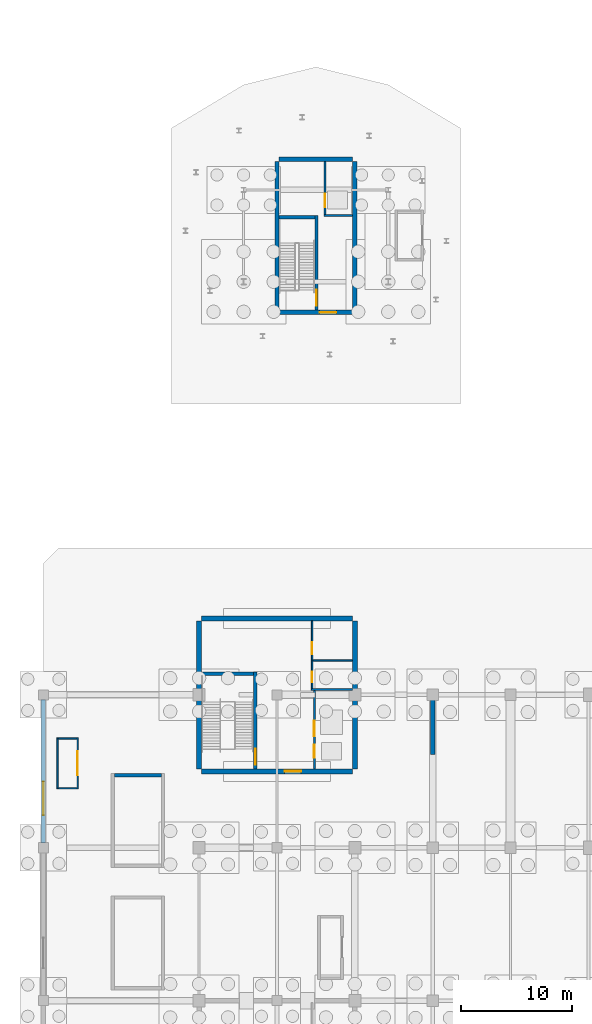
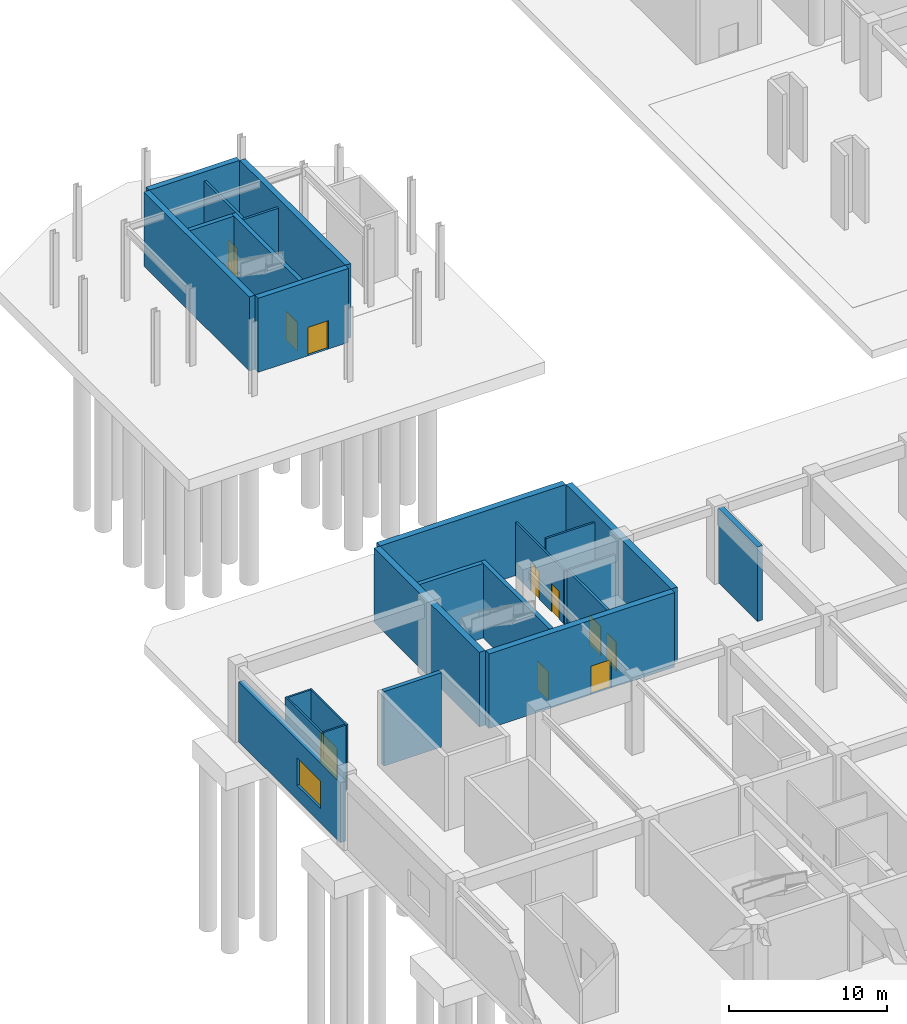
# One storey, part 47 of 62: 25 walls, 10 doors, 1 window, 11 openings.
"""IFC4 building model written with IfcOpenShell, lengths in metres."""

from ifc_helpers import new_model, si_unit, direction, frame, frame_2d, origin, place, context, subcontext, project, spatial, rectangle, extrude, material, layer, layer_set, type_object, element, fill, save


model = new_model("IFC4")

# Units and contexts
model_context = context("Model", 3, precision=1e-05, world=origin(), true_north=direction((0.0, 1.0)))
body_context = subcontext(model_context, "Body", "Model", "MODEL_VIEW")
ifc_project = project(units=[si_unit("LENGTHUNIT", "METRE"), si_unit("AREAUNIT", "SQUARE_METRE"), si_unit("VOLUMEUNIT", "CUBIC_METRE"), si_unit("PLANEANGLEUNIT", "RADIAN"), si_unit("MASSUNIT", "GRAM", prefix="KILO")], contexts=[model_context])

# Site, building, storey
site_placement = place(None, origin())
site = spatial("IfcSite", under=ifc_project, at=site_placement, CompositionType="ELEMENT")
building_placement = place(site_placement, origin())
building = spatial("IfcBuilding", under=site, at=building_placement, Name="Linyun Crest Stadium", CompositionType="ELEMENT")
storey_placement = place(building_placement, frame((0.0, 0.0, -6.0)))
storey = spatial("IfcBuildingStorey", under=building, at=storey_placement, Name="B1", CompositionType="ELEMENT", Elevation=-6.0)

# Walls
ifc_material_1 = material(Name="Concrete C50", Category="concrete")
ifc_layer_1 = layer(ifc_material_1, 0.39990234375)
ifc_layer_set_1 = layer_set([ifc_layer_1], Name="Concrete C50")
wall_type_1 = type_object("IfcWallType", Name="CW02", PredefinedType="SHEAR", material=ifc_layer_set_1)
for number, where, z_axis, x_axis, name in (
    (1, (-77.0, 77.949951171875, 0.0), (0.0, 0.0, 1.0), (0.0, 1.0, 0.0), "Core shear wall CW02 CORE-PNW B1.1"),
    (2, (-70.0, 77.949951171875, 0.0), (0.0, 0.0, 1.0), (0.0, 1.0, 0.0), "Core shear wall CW02 CORE-PNW B1.2"),
):
    element("IfcWall", number, at=place(storey_placement, frame(where, z_axis=z_axis, x_axis=x_axis)), inside=storey, type_object=wall_type_1, Name=name, PredefinedType="SHEAR", context=body_context, shape_type="SweptSolid", body=[
        extrude(rectangle(XDim=13.35009765625, YDim=0.39990234375, at=frame_2d((6.675048828125, 0.0))), origin(), (0.0, 0.0, 1.0), 5.719970703125),
    ])

# Wall, opening, door
wall_1_placement = place(storey_placement, frame((-76.800048828125, 77.75, 0.0), z_axis=(0.0, 0.0, 1.0), x_axis=(1.0, 0.0, 0.0)))
wall_1 = element("IfcWall", 3, at=wall_1_placement, inside=storey, type_object=wall_type_1, Name="Core shear wall CW02 CORE-PNW B1.3", PredefinedType="SHEAR", context=body_context, shape_type="SweptSolid", body=[
    extrude(rectangle(XDim=6.60009765625, YDim=0.39990234375, at=frame_2d((3.300048828125, 0.0))), origin(), (0.0, 0.0, 1.0), 5.719970703125),
])
opening_1_placement = place(wall_1_placement, frame((3.6298828125, 0.0, 0.0)))
opening_1 = element("IfcOpeningElement", 4, at=opening_1_placement, cuts=wall_1, Name="Opening D-B1-366", PredefinedType="OPENING", context=body_context, shape_type="SweptSolid", body=[
    extrude(rectangle(XDim=1.5, YDim=2.199951171875, at=frame_2d((0.75, 1.10009765625))), frame((0.0, 0.2099609375, 0.0), z_axis=(0.0, -1.0, 0.0), x_axis=(1.0, 0.0, 0.0)), (0.0, 0.0, 1.0), 0.419921875),
])
ifc_material_2 = material(Name="Galvanized steel Class A fire door", Category="steel")
ifc_layer_2 = layer(ifc_material_2, 0.054931640625)
ifc_layer_set_2 = layer_set([ifc_layer_2], Name="Galvanized steel Class A fire door")
door_type_1 = type_object("IfcDoorType", Name="FD01", OperationType="NOTDEFINED", PredefinedType="DOOR", material=ifc_layer_set_2)
door_1_placement = place(opening_1_placement, origin())
door_1 = element("IfcDoor", 5, at=door_1_placement, inside=storey, type_object=door_type_1, Name="Door D-B1-366", OperationType="SINGLE_SWING_RIGHT", OverallHeight=2.199951171875, OverallWidth=1.5, PredefinedType="DOOR", context=body_context, shape_type="SweptSolid", body=[
    extrude(rectangle(XDim=1.5, YDim=2.199951171875, at=frame_2d((0.75, 1.10009765625))), frame((0.0, 0.02490234375, 0.0), z_axis=(0.0, -1.0, 0.0), x_axis=(1.0, 0.0, 0.0)), (0.0, 0.0, 1.0), 0.050048828125),
])
fill(opening_1, door_1)

# Walls
wall_2_placement = place(storey_placement, frame((-76.800048828125, 91.5, 0.0), z_axis=(0.0, 0.0, 1.0), x_axis=(1.0, 0.0, 0.0)))
element("IfcWall", 6, at=wall_2_placement, inside=storey, type_object=wall_type_1, Name="Core shear wall CW02 CORE-PNW B1.4", PredefinedType="SHEAR", context=body_context, shape_type="SweptSolid", body=[
    extrude(rectangle(XDim=6.60009765625, YDim=0.39990234375, at=frame_2d((3.300048828125, 0.0))), origin(), (0.0, 0.0, 1.0), 5.719970703125),
])
ifc_material_3 = material(Name="Concrete C50", Category="concrete")
ifc_layer_3 = layer(ifc_material_3, 0.449951171875)
ifc_layer_set_3 = layer_set([ifc_layer_3], Name="Concrete C50")
wall_type_2 = type_object("IfcWallType", Name="CW03", PredefinedType="SHEAR", material=ifc_layer_set_3)
for number, where, z_axis, x_axis, name in (
    (7, (-84.0, 36.72509765625, 0.0), (0.0, 0.0, 1.0), (0.0, 1.0, 0.0), "Core shear wall CW03 CORE-W3 B1.1"),
    (8, (-70.0, 36.72509765625, 0.0), (0.0, 0.0, 1.0), (0.0, 1.0, 0.0), "Core shear wall CW03 CORE-W3 B1.2"),
):
    element("IfcWall", number, at=place(storey_placement, frame(where, z_axis=z_axis, x_axis=x_axis)), inside=storey, type_object=wall_type_2, Name=name, PredefinedType="SHEAR", context=body_context, shape_type="SweptSolid", body=[
        extrude(rectangle(XDim=13.2998046875, YDim=0.449951171875, at=frame_2d((6.64990234375, 0.0))), origin(), (0.0, 0.0, 1.0), 5.75),
    ])

# Wall, opening, door
wall_3_placement = place(storey_placement, frame((-83.77490234375, 36.5, 0.0), z_axis=(0.0, 0.0, 1.0), x_axis=(1.0, 0.0, 0.0)))
wall_3 = element("IfcWall", 9, at=wall_3_placement, inside=storey, type_object=wall_type_2, Name="Core shear wall CW03 CORE-W3 B1.3", PredefinedType="SHEAR", context=body_context, shape_type="SweptSolid", body=[
    extrude(rectangle(XDim=13.5498046875, YDim=0.449951171875, at=frame_2d((6.77490234375, 0.0))), origin(), (0.0, 0.0, 1.0), 5.75),
])
opening_2_placement = place(wall_3_placement, frame((7.452880859375, 0.0, 0.0)))
opening_2 = element("IfcOpeningElement", 10, at=opening_2_placement, cuts=wall_3, Name="Opening D-B1-106", PredefinedType="OPENING", context=body_context, shape_type="SweptSolid", body=[
    extrude(rectangle(XDim=1.5, YDim=2.199951171875, at=frame_2d((0.75, 1.10009765625))), frame((0.0, 0.23486328125, 0.0), z_axis=(0.0, -1.0, 0.0), x_axis=(1.0, 0.0, 0.0)), (0.0, 0.0, 1.0), 0.469970703125),
])
door_2_placement = place(opening_2_placement, origin())
door_2 = element("IfcDoor", 11, at=door_2_placement, inside=storey, type_object=door_type_1, Name="Door D-B1-106", OperationType="SINGLE_SWING_RIGHT", OverallHeight=2.199951171875, OverallWidth=1.5, PredefinedType="DOOR", context=body_context, shape_type="SweptSolid", body=[
    extrude(rectangle(XDim=1.5, YDim=2.199951171875, at=frame_2d((0.75, 1.10009765625))), frame((0.0, 0.02490234375, 0.0), z_axis=(0.0, -1.0, 0.0), x_axis=(1.0, 0.0, 0.0)), (0.0, 0.0, 1.0), 0.050048828125),
])
fill(opening_2, door_2)

# Wall
wall_4_placement = place(storey_placement, frame((-83.77490234375, 50.25, 0.0), z_axis=(0.0, 0.0, 1.0), x_axis=(1.0, 0.0, 0.0)))
element("IfcWall", 12, at=wall_4_placement, inside=storey, type_object=wall_type_2, Name="Core shear wall CW03 CORE-W3 B1.4", PredefinedType="SHEAR", context=body_context, shape_type="SweptSolid", body=[
    extrude(rectangle(XDim=13.5498046875, YDim=0.449951171875, at=frame_2d((6.77490234375, 0.0))), origin(), (0.0, 0.0, 1.0), 5.75),
])

# Wall, opening, window
ifc_material_4 = material(Name="Concrete C40 basement retaining envelope wall", Category="concrete")
ifc_layer_4 = layer(ifc_material_4, 0.419921875)
ifc_layer_set_4 = layer_set([ifc_layer_4], Name="Concrete C40 basement retaining envelope wall")
wall_type_3 = type_object("IfcWallType", Name="EW08", PredefinedType="SOLIDWALL", material=ifc_layer_set_4)
wall_5_placement = place(storey_placement, frame((-98.0, 30.06494140625, 0.0), z_axis=(0.0, 0.0, 1.0), x_axis=(0.0, 1.0, 0.0)))
wall_5 = element("IfcWall", 13, at=wall_5_placement, inside=storey, type_object=wall_type_3, Name="Exterior wall EW08 B1 21", PredefinedType="SOLIDWALL", context=body_context, shape_type="SweptSolid", body=[
    extrude(rectangle(XDim=12.8701171875, YDim=0.419921875, at=frame_2d((6.43505859375, 0.0))), origin(), (0.0, 0.0, 1.0), 4.625),
])
opening_3_placement = place(wall_5_placement, frame((2.5, 0.0, 1.10009765625)))
opening_3 = element("IfcOpeningElement", 14, at=opening_3_placement, cuts=wall_5, Name="Opening WN06", PredefinedType="OPENING", context=body_context, shape_type="SweptSolid", body=[
    extrude(rectangle(XDim=3.0, YDim=2.14990234375, at=frame_2d((1.5, 1.074951171875))), frame((0.0, 0.219970703125, 0.0), z_axis=(0.0, -1.0, 0.0), x_axis=(1.0, 0.0, 0.0)), (0.0, 0.0, 1.0), 0.43994140625),
])
ifc_material_5 = material(Name="Verdigris steel Art Nouveau arched window", Category="steel")
ifc_layer_5 = layer(ifc_material_5, 0.06494140625)
ifc_layer_set_5 = layer_set([ifc_layer_5], Name="Verdigris steel Art Nouveau arched window")
window_type = type_object("IfcWindowType", Name="WN06", PartitioningType="SINGLE_PANEL", PredefinedType="WINDOW", material=ifc_layer_set_5)
window_placement = place(opening_3_placement, origin())
window = element("IfcWindow", 15, at=window_placement, inside=storey, type_object=window_type, Name="Window WN06 B1 23", OverallHeight=2.14990234375, OverallWidth=3.0, PartitioningType="SINGLE_PANEL", PredefinedType="WINDOW", context=body_context, shape_type="SweptSolid", body=[
    extrude(rectangle(XDim=3.0, YDim=2.14990234375, at=frame_2d((1.5, 1.074951171875))), frame((0.0, 0.030029296875, 0.0), z_axis=(0.0, -1.0, 0.0), x_axis=(1.0, 0.0, 0.0)), (0.0, 0.0, 1.0), 0.06005859375),
])
fill(opening_3, window)

# Wall, openings, doors
ifc_material_6 = material(Name="Autoclaved aerated concrete block fire partition", Category="concrete")
ifc_layer_6 = layer(ifc_material_6, 0.179931640625)
ifc_layer_set_6 = layer_set([ifc_layer_6], Name="Autoclaved aerated concrete block fire partition")
wall_type_4 = type_object("IfcWallType", Name="PW12", PredefinedType="PARTITIONING", material=ifc_layer_set_6)
wall_6_placement = place(storey_placement, frame((-73.64990234375, 36.72509765625, 0.0), z_axis=(0.0, 0.0, 1.0), x_axis=(0.0, 1.0, 0.0)))
wall_6 = element("IfcWall", 16, at=wall_6_placement, inside=storey, type_object=wall_type_4, Name="Partition PW12 B1 43", PredefinedType="PARTITIONING", context=body_context, shape_type="SweptSolid", body=[
    extrude(rectangle(XDim=7.054931640625, YDim=0.179931640625, at=frame_2d((3.52734375, 0.0))), origin(), (0.0, 0.0, 1.0), 4.125),
])
opening_4_placement = place(wall_6_placement, frame((0.97509765625, 0.0, 0.0)))
opening_4 = element("IfcOpeningElement", 17, at=opening_4_placement, cuts=wall_6, Name="Opening LD036", PredefinedType="OPENING", context=body_context, shape_type="SweptSolid", body=[
    extrude(rectangle(XDim=1.199951171875, YDim=2.25, at=frame_2d((0.60009765625, 1.125))), frame((0.0, 0.099853515625, 0.0), z_axis=(0.0, -1.0, 0.0), x_axis=(1.0, 0.0, 0.0)), (0.0, 0.0, 1.0), 0.199951171875),
])
opening_5_placement = place(wall_6_placement, frame((2.925048828125, 0.0, 0.0)))
opening_5 = element("IfcOpeningElement", 18, at=opening_5_placement, cuts=wall_6, Name="Opening LD037", PredefinedType="OPENING", context=body_context, shape_type="SweptSolid", body=[
    extrude(rectangle(XDim=1.39990234375, YDim=2.300048828125, at=frame_2d((0.699951171875, 1.14990234375))), frame((0.0, 0.099853515625, 0.0), z_axis=(0.0, -1.0, 0.0), x_axis=(1.0, 0.0, 0.0)), (0.0, 0.0, 1.0), 0.199951171875),
])
ifc_material_7 = material(Name="Brushed stainless sliding lift door")
ifc_layer_7 = layer(ifc_material_7, 0.050048828125)
ifc_layer_set_7 = layer_set([ifc_layer_7], Name="Brushed stainless sliding lift door")
door_type_2 = type_object("IfcDoorType", Name="LD02", OperationType="NOTDEFINED", PredefinedType="DOOR", material=ifc_layer_set_7)
door_3_placement = place(opening_4_placement, origin())
door_3 = element("IfcDoor", 19, at=door_3_placement, inside=storey, type_object=door_type_2, Name="Lift landing door LD036", OperationType="DOUBLE_DOOR_SLIDING", OverallHeight=2.25, OverallWidth=1.199951171875, PredefinedType="DOOR", context=body_context, shape_type="SweptSolid", body=[
    extrude(rectangle(XDim=1.199951171875, YDim=2.25, at=frame_2d((0.60009765625, 1.125))), frame((0.0, 0.02490234375, 0.0), z_axis=(0.0, -1.0, 0.0), x_axis=(1.0, 0.0, 0.0)), (0.0, 0.0, 1.0), 0.050048828125),
])
fill(opening_4, door_3)
ifc_material_8 = material(Name="Heavy-duty stainless sliding door")
ifc_layer_8 = layer(ifc_material_8, 0.054931640625)
ifc_layer_set_8 = layer_set([ifc_layer_8], Name="Heavy-duty stainless sliding door")
door_type_3 = type_object("IfcDoorType", Name="LD03", OperationType="NOTDEFINED", PredefinedType="DOOR", material=ifc_layer_set_8)
door_4_placement = place(opening_5_placement, origin())
door_4 = element("IfcDoor", 20, at=door_4_placement, inside=storey, type_object=door_type_3, Name="Lift landing door LD037", OperationType="DOUBLE_DOOR_SLIDING", OverallHeight=2.300048828125, OverallWidth=1.39990234375, PredefinedType="DOOR", context=body_context, shape_type="SweptSolid", body=[
    extrude(rectangle(XDim=1.39990234375, YDim=2.300048828125, at=frame_2d((0.699951171875, 1.14990234375))), frame((0.0, 0.02490234375, 0.0), z_axis=(0.0, -1.0, 0.0), x_axis=(1.0, 0.0, 0.0)), (0.0, 0.0, 1.0), 0.050048828125),
])
fill(opening_5, door_4)

# Wall, opening, door
wall_7_placement = place(storey_placement, frame((-72.699951171875, 86.550048828125, 0.0), z_axis=(0.0, 0.0, 1.0), x_axis=(0.0, 1.0, 0.0)))
wall_7 = element("IfcWall", 21, at=wall_7_placement, inside=storey, type_object=wall_type_4, Name="Partition PW12 B1 131", PredefinedType="PARTITIONING", context=body_context, shape_type="SweptSolid", body=[
    extrude(rectangle(XDim=4.75, YDim=0.179931640625, at=frame_2d((2.375, 0.0))), origin(), (0.0, 0.0, 1.0), 5.02001953125),
])
opening_6_placement = place(wall_7_placement, frame((0.64990234375, 0.0, 0.0)))
opening_6 = element("IfcOpeningElement", 22, at=opening_6_placement, cuts=wall_7, Name="Opening LD107", PredefinedType="OPENING", context=body_context, shape_type="SweptSolid", body=[
    extrude(rectangle(XDim=1.199951171875, YDim=2.25, at=frame_2d((0.60009765625, 1.125))), frame((0.0, 0.099853515625, 0.0), z_axis=(0.0, -1.0, 0.0), x_axis=(1.0, 0.0, 0.0)), (0.0, 0.0, 1.0), 0.199951171875),
])
door_5_placement = place(opening_6_placement, origin())
door_5 = element("IfcDoor", 23, at=door_5_placement, inside=storey, type_object=door_type_2, Name="Lift landing door LD107", OperationType="DOUBLE_DOOR_SLIDING", OverallHeight=2.25, OverallWidth=1.199951171875, PredefinedType="DOOR", context=body_context, shape_type="SweptSolid", body=[
    extrude(rectangle(XDim=1.199951171875, YDim=2.25, at=frame_2d((0.60009765625, 1.125))), frame((0.0, 0.02490234375, 0.0), z_axis=(0.0, -1.0, 0.0), x_axis=(1.0, 0.0, 0.0)), (0.0, 0.0, 1.0), 0.050048828125),
])
fill(opening_6, door_5)

# Wall
wall_8_placement = place(storey_placement, frame((-72.7900390625, 86.4599609375, 0.0), z_axis=(0.0, 0.0, 1.0), x_axis=(1.0, 0.0, 0.0)))
element("IfcWall", 24, at=wall_8_placement, inside=storey, type_object=wall_type_4, Name="Enclosure partition PW12 B1 123", PredefinedType="PARTITIONING", context=body_context, shape_type="SweptSolid", body=[
    extrude(rectangle(XDim=2.590087890625, YDim=0.179931640625, at=frame_2d((1.294921875, 0.0))), origin(), (0.0, 0.0, 1.0), 5.02001953125),
])

# Wall, openings, doors
ifc_material_9 = material(Name="Moisture-resistant ceramic-tiled wet-room wall")
ifc_layer_9 = layer(ifc_material_9, 0.139892578125)
ifc_layer_set_9 = layer_set([ifc_layer_9], Name="Moisture-resistant ceramic-tiled wet-room wall")
wall_type_5 = type_object("IfcWallType", Name="PW15", PredefinedType="PARTITIONING", material=ifc_layer_set_9)
wall_9_placement = place(storey_placement, frame((-73.85009765625, 43.919921875, 0.0), z_axis=(0.0, 0.0, 1.0), x_axis=(0.0, 1.0, 0.0)))
wall_9 = element("IfcWall", 25, at=wall_9_placement, inside=storey, type_object=wall_type_5, Name="Partition PW15 B1 44", PredefinedType="PARTITIONING", context=body_context, shape_type="SweptSolid", body=[
    extrude(rectangle(XDim=6.10498046875, YDim=0.139892578125, at=frame_2d((3.052490234375, 0.0))), origin(), (0.0, 0.0, 1.0), 4.125),
])
opening_7_placement = place(wall_9_placement, frame((0.580078125, 0.0, 0.0)))
opening_7 = element("IfcOpeningElement", 26, at=opening_7_placement, cuts=wall_9, Name="Opening D-B1-110", PredefinedType="OPENING", context=body_context, shape_type="SweptSolid", body=[
    extrude(rectangle(XDim=0.949951171875, YDim=2.14990234375, at=frame_2d((0.47509765625, 1.074951171875))), frame((0.0, 0.079833984375, 0.0), z_axis=(0.0, -1.0, 0.0), x_axis=(1.0, 0.0, 0.0)), (0.0, 0.0, 1.0), 0.159912109375),
])
opening_8_placement = place(wall_9_placement, frame((3.080078125, 0.0, 0.0)))
opening_8 = element("IfcOpeningElement", 27, at=opening_8_placement, cuts=wall_9, Name="Opening D-B1-111", PredefinedType="OPENING", context=body_context, shape_type="SweptSolid", body=[
    extrude(rectangle(XDim=1.10009765625, YDim=2.14990234375, at=frame_2d((0.550048828125, 1.074951171875))), frame((0.0, 0.079833984375, 0.0), z_axis=(0.0, -1.0, 0.0), x_axis=(1.0, 0.0, 0.0)), (0.0, 0.0, 1.0), 0.159912109375),
])
ifc_material_10 = material(Name="Moisture-resistant laminate leaf")
ifc_layer_10 = layer(ifc_material_10, 0.044921875)
ifc_layer_set_10 = layer_set([ifc_layer_10], Name="Moisture-resistant laminate leaf")
door_type_4 = type_object("IfcDoorType", Name="ID02", OperationType="NOTDEFINED", PredefinedType="DOOR", material=ifc_layer_set_10)
door_6_placement = place(opening_7_placement, origin())
door_6 = element("IfcDoor", 28, at=door_6_placement, inside=storey, type_object=door_type_4, Name="Door D-B1-110", OperationType="SINGLE_SWING_RIGHT", OverallHeight=2.14990234375, OverallWidth=0.949951171875, PredefinedType="DOOR", context=body_context, shape_type="SweptSolid", body=[
    extrude(rectangle(XDim=0.949951171875, YDim=2.14990234375, at=frame_2d((0.47509765625, 1.074951171875))), frame((0.0, 0.02490234375, 0.0), z_axis=(0.0, -1.0, 0.0), x_axis=(1.0, 0.0, 0.0)), (0.0, 0.0, 1.0), 0.050048828125),
])
fill(opening_7, door_6)
ifc_material_11 = material(Name="Moisture-resistant laminate leaf")
ifc_layer_11 = layer(ifc_material_11, 0.044921875)
ifc_layer_set_11 = layer_set([ifc_layer_11], Name="Moisture-resistant laminate leaf")
door_type_5 = type_object("IfcDoorType", Name="ID03", OperationType="NOTDEFINED", PredefinedType="DOOR", material=ifc_layer_set_11)
door_7_placement = place(opening_8_placement, origin())
door_7 = element("IfcDoor", 29, at=door_7_placement, inside=storey, type_object=door_type_5, Name="Door D-B1-111", OperationType="SINGLE_SWING_LEFT", OverallHeight=2.14990234375, OverallWidth=1.10009765625, PredefinedType="DOOR", context=body_context, shape_type="SweptSolid", body=[
    extrude(rectangle(XDim=1.10009765625, YDim=2.14990234375, at=frame_2d((0.550048828125, 1.074951171875))), frame((0.0, 0.02490234375, 0.0), z_axis=(0.0, -1.0, 0.0), x_axis=(1.0, 0.0, 0.0)), (0.0, 0.0, 1.0), 0.050048828125),
])
fill(opening_8, door_7)

# Walls
wall_10_placement = place(storey_placement, frame((-73.919921875, 43.85009765625, 0.0), z_axis=(0.0, 0.0, 1.0), x_axis=(1.0, 0.0, 0.0)))
element("IfcWall", 30, at=wall_10_placement, inside=storey, type_object=wall_type_5, Name="Enclosure partition PW15 B1 29", PredefinedType="PARTITIONING", context=body_context, shape_type="SweptSolid", body=[
    extrude(rectangle(XDim=3.69482421875, YDim=0.139892578125, at=frame_2d((1.847412109375, 0.0))), origin(), (0.0, 0.0, 1.0), 4.125),
])
wall_11_placement = place(storey_placement, frame((-73.780029296875, 46.449951171875, 0.0), z_axis=(0.0, 0.0, 1.0), x_axis=(1.0, 0.0, 0.0)))
element("IfcWall", 31, at=wall_11_placement, inside=storey, type_object=wall_type_5, Name="Enclosure partition PW15 B1 30", PredefinedType="PARTITIONING", context=body_context, shape_type="SweptSolid", body=[
    extrude(rectangle(XDim=3.554931640625, YDim=0.139892578125, at=frame_2d((1.77734375, 0.0))), origin(), (0.0, 0.0, 1.0), 5.02001953125),
])

# Wall, opening, door
ifc_material_12 = material(Name="Steel-stud hospitality suite partition", Category="steel")
ifc_layer_12 = layer(ifc_material_12, 0.125)
ifc_layer_set_12 = layer_set([ifc_layer_12], Name="Steel-stud hospitality suite partition")
wall_type_6 = type_object("IfcWallType", Name="PW17", PredefinedType="PARTITIONING", material=ifc_layer_set_12)
wall_12_placement = place(storey_placement, frame((-94.9169921875, 39.513916015625, 0.0), z_axis=(0.0, 0.0, 1.0), x_axis=(0.0, -1.0, 0.0)))
wall_12 = element("IfcWall", 32, at=wall_12_placement, inside=storey, type_object=wall_type_6, Name="Partition PW17 B1 140", PredefinedType="PARTITIONING", context=body_context, shape_type="SweptSolid", body=[
    extrude(rectangle(XDim=4.599853515625, YDim=0.125, at=frame_2d((2.2998046875, 0.0))), origin(), (0.0, 0.0, 1.0), 5.02001953125),
])
opening_9_placement = place(wall_12_placement, frame((1.22509765625, 0.0, 0.0)))
opening_9 = element("IfcOpeningElement", 33, at=opening_9_placement, cuts=wall_12, Name="Opening D-B1-403", PredefinedType="OPENING", context=body_context, shape_type="SweptSolid", body=[
    extrude(rectangle(XDim=2.14990234375, YDim=2.449951171875, at=frame_2d((1.074951171875, 1.22509765625))), frame((0.0, 0.072509765625, 0.0), z_axis=(0.0, -1.0, 0.0), x_axis=(1.0, 0.0, 0.0)), (0.0, 0.0, 1.0), 0.14501953125),
])
ifc_material_13 = material(Name="Anodized aluminium retail door", Category="aluminium")
ifc_layer_13 = layer(ifc_material_13, 0.054931640625)
ifc_layer_set_13 = layer_set([ifc_layer_13], Name="Anodized aluminium retail door")
door_type_6 = type_object("IfcDoorType", Name="ID18", OperationType="NOTDEFINED", PredefinedType="DOOR", material=ifc_layer_set_13)
door_8_placement = place(opening_9_placement, origin())
door_8 = element("IfcDoor", 34, at=door_8_placement, inside=storey, type_object=door_type_6, Name="Door D-B1-403", OperationType="DOUBLE_DOOR_SINGLE_SWING", OverallHeight=2.449951171875, OverallWidth=2.14990234375, PredefinedType="DOOR", context=body_context, shape_type="SweptSolid", body=[
    extrude(rectangle(XDim=2.14990234375, YDim=2.449951171875, at=frame_2d((1.074951171875, 1.22509765625))), frame((0.0, 0.02490234375, 0.0), z_axis=(0.0, -1.0, 0.0), x_axis=(1.0, 0.0, 0.0)), (0.0, 0.0, 1.0), 0.050048828125),
])
fill(opening_9, door_8)

# Walls
wall_13_placement = place(storey_placement, frame((-96.717041015625, 34.9140625, 0.0), z_axis=(0.0, 0.0, 1.0), x_axis=(0.0, 1.0, 0.0)))
element("IfcWall", 35, at=wall_13_placement, inside=storey, type_object=wall_type_6, Name="Enclosure partition PW17 B1 136", PredefinedType="PARTITIONING", context=body_context, shape_type="SweptSolid", body=[
    extrude(rectangle(XDim=4.599853515625, YDim=0.125, at=frame_2d((2.2998046875, 0.0))), origin(), (0.0, 0.0, 1.0), 5.02001953125),
])
for number, where, z_axis, x_axis, name in (
    (36, (-96.654052734375, 34.97705078125, 0.0), (0.0, 0.0, 1.0), (1.0, 0.0, 0.0), "Enclosure partition PW17 B1 137"),
    (37, (-96.654052734375, 39.450927734375, 0.0), (0.0, 0.0, 1.0), (1.0, 0.0, 0.0), "Enclosure partition PW17 B1 138"),
):
    element("IfcWall", number, at=place(storey_placement, frame(where, z_axis=z_axis, x_axis=x_axis)), inside=storey, type_object=wall_type_6, Name=name, PredefinedType="PARTITIONING", context=body_context, shape_type="SweptSolid", body=[
        extrude(rectangle(XDim=1.674072265625, YDim=0.125, at=frame_2d((0.8369140625, 0.0))), origin(), (0.0, 0.0, 1.0), 5.02001953125),
    ])

# Wall, opening, door
ifc_material_14 = material(Name="Concrete C50", Category="concrete")
ifc_layer_14 = layer(ifc_material_14, 0.300048828125)
ifc_layer_set_14 = layer_set([ifc_layer_14], Name="Concrete C50")
wall_type_7 = type_object("IfcWallType", Name="SW01", PredefinedType="SHEAR", material=ifc_layer_set_14)
wall_14_placement = place(storey_placement, frame((-78.949951171875, 36.72509765625, 0.0), z_axis=(0.0, 0.0, 1.0), x_axis=(0.0, 1.0, 0.0)))
wall_14 = element("IfcWall", 38, at=wall_14_placement, inside=storey, type_object=wall_type_7, Name="Core stair east bearing wall SW01 3 B1", PredefinedType="SHEAR", context=body_context, shape_type="SweptSolid", body=[
    extrude(rectangle(XDim=8.6748046875, YDim=0.300048828125, at=frame_2d((4.33740234375, 0.0))), origin(), (0.0, 0.0, 1.0), 5.75),
])
opening_10_placement = place(wall_14_placement, frame((0.344970703125, 0.0, 0.0)))
opening_10 = element("IfcOpeningElement", 39, at=opening_10_placement, cuts=wall_14, Name="Opening D-B1-107", PredefinedType="OPENING", context=body_context, shape_type="SweptSolid", body=[
    extrude(rectangle(XDim=1.449951171875, YDim=2.199951171875, at=frame_2d((0.72509765625, 1.10009765625))), frame((0.0, 0.159912109375, 0.0), z_axis=(0.0, -1.0, 0.0), x_axis=(1.0, 0.0, 0.0)), (0.0, 0.0, 1.0), 0.320068359375),
])
ifc_material_15 = material(Name="Galvanized steel Class A fire door", Category="steel")
ifc_layer_15 = layer(ifc_material_15, 0.054931640625)
ifc_layer_set_15 = layer_set([ifc_layer_15], Name="Galvanized steel Class A fire door")
door_type_7 = type_object("IfcDoorType", Name="FD02", OperationType="NOTDEFINED", PredefinedType="DOOR", material=ifc_layer_set_15)
door_9_placement = place(opening_10_placement, origin())
door_9 = element("IfcDoor", 40, at=door_9_placement, inside=storey, type_object=door_type_7, Name="Door D-B1-107", OperationType="SINGLE_SWING_LEFT", OverallHeight=2.199951171875, OverallWidth=1.449951171875, PredefinedType="DOOR", context=body_context, shape_type="SweptSolid", body=[
    extrude(rectangle(XDim=1.449951171875, YDim=2.199951171875, at=frame_2d((0.72509765625, 1.10009765625))), frame((0.0, 0.02490234375, 0.0), z_axis=(0.0, -1.0, 0.0), x_axis=(1.0, 0.0, 0.0)), (0.0, 0.0, 1.0), 0.050048828125),
])
fill(opening_10, door_9)

wall_15_placement = place(storey_placement, frame((-73.449951171875, 77.949951171875, 0.0), z_axis=(0.0, 0.0, 1.0), x_axis=(0.0, 1.0, 0.0)))
wall_15 = element("IfcWall", 41, at=wall_15_placement, inside=storey, type_object=wall_type_7, Name="Core stair east bearing wall SW01 11 B1", PredefinedType="SHEAR", context=body_context, shape_type="SweptSolid", body=[
    extrude(rectangle(XDim=8.5, YDim=0.300048828125, at=frame_2d((4.25, 0.0))), origin(), (0.0, 0.0, 1.0), 5.719970703125),
])
opening_11_placement = place(wall_15_placement, frame((0.3701171875, 0.0, 0.0)))
opening_11 = element("IfcOpeningElement", 42, at=opening_11_placement, cuts=wall_15, Name="Opening D-B1-367", PredefinedType="OPENING", context=body_context, shape_type="SweptSolid", body=[
    extrude(rectangle(XDim=1.449951171875, YDim=2.199951171875, at=frame_2d((0.72509765625, 1.10009765625))), frame((0.0, 0.159912109375, 0.0), z_axis=(0.0, -1.0, 0.0), x_axis=(1.0, 0.0, 0.0)), (0.0, 0.0, 1.0), 0.320068359375),
])
door_10_placement = place(opening_11_placement, origin())
door_10 = element("IfcDoor", 43, at=door_10_placement, inside=storey, type_object=door_type_7, Name="Door D-B1-367", OperationType="SINGLE_SWING_LEFT", OverallHeight=2.199951171875, OverallWidth=1.449951171875, PredefinedType="DOOR", context=body_context, shape_type="SweptSolid", body=[
    extrude(rectangle(XDim=1.449951171875, YDim=2.199951171875, at=frame_2d((0.72509765625, 1.10009765625))), frame((0.0, 0.02490234375, 0.0), z_axis=(0.0, -1.0, 0.0), x_axis=(1.0, 0.0, 0.0)), (0.0, 0.0, 1.0), 0.050048828125),
])
fill(opening_11, door_10)

# Walls
wall_16_placement = place(storey_placement, frame((-83.77490234375, 45.25, 0.0), z_axis=(0.0, 0.0, 1.0), x_axis=(1.0, 0.0, 0.0)))
element("IfcWall", 44, at=wall_16_placement, inside=storey, type_object=wall_type_7, Name="Core stair bearing wall SW01 3 B1", PredefinedType="SHEAR", context=body_context, shape_type="SweptSolid", body=[
    extrude(rectangle(XDim=4.6748046875, YDim=0.300048828125, at=frame_2d((2.33740234375, 0.0))), origin(), (0.0, 0.0, 1.0), 5.75),
])
wall_17_placement = place(storey_placement, frame((-76.800048828125, 86.300048828125, 0.0), z_axis=(0.0, 0.0, 1.0), x_axis=(1.0, 0.0, 0.0)))
element("IfcWall", 45, at=wall_17_placement, inside=storey, type_object=wall_type_7, Name="Core stair bearing wall SW01 11 B1", PredefinedType="SHEAR", context=body_context, shape_type="SweptSolid", body=[
    extrude(rectangle(XDim=3.199951171875, YDim=0.300048828125, at=frame_2d((1.60009765625, 0.0))), origin(), (0.0, 0.0, 1.0), 5.719970703125),
])
wall_18_placement = place(storey_placement, frame((-91.60009765625, 36.14990234375, 0.0), z_axis=(0.0, 0.0, 1.0), x_axis=(1.0, 0.0, 0.0)))
element("IfcWall", 46, at=wall_18_placement, inside=storey, type_object=wall_type_7, Name="Stair shaft wall SW01 STR-17 B1 N", PredefinedType="SHEAR", context=body_context, shape_type="SweptSolid", body=[
    extrude(rectangle(XDim=4.2001953125, YDim=0.300048828125, at=frame_2d((2.10009765625, 0.0))), origin(), (0.0, 0.0, 1.0), 5.75),
])
ifc_material_16 = material(Name="Concrete C50", Category="concrete")
ifc_layer_16 = layer(ifc_material_16, 0.3798828125)
ifc_layer_set_16 = layer_set([ifc_layer_16], Name="Concrete C50")
wall_type_8 = type_object("IfcWallType", Name="SW02", PredefinedType="SHEAR", material=ifc_layer_set_16)
wall_19_placement = place(storey_placement, frame((-63.0, 38.0, 0.0), z_axis=(0.0, 0.0, 1.0), x_axis=(0.0, 1.0, 0.0)))
element("IfcWall", 47, at=wall_19_placement, inside=storey, type_object=wall_type_8, Name="Shear wall SW02 B1 305", PredefinedType="SHEAR", context=body_context, shape_type="SweptSolid", body=[
    extrude(rectangle(XDim=5.0, YDim=0.3798828125, at=frame_2d((2.5, 0.0))), origin(), (0.0, 0.0, 1.0), 5.75),
])

save(model, "model.ifc")
